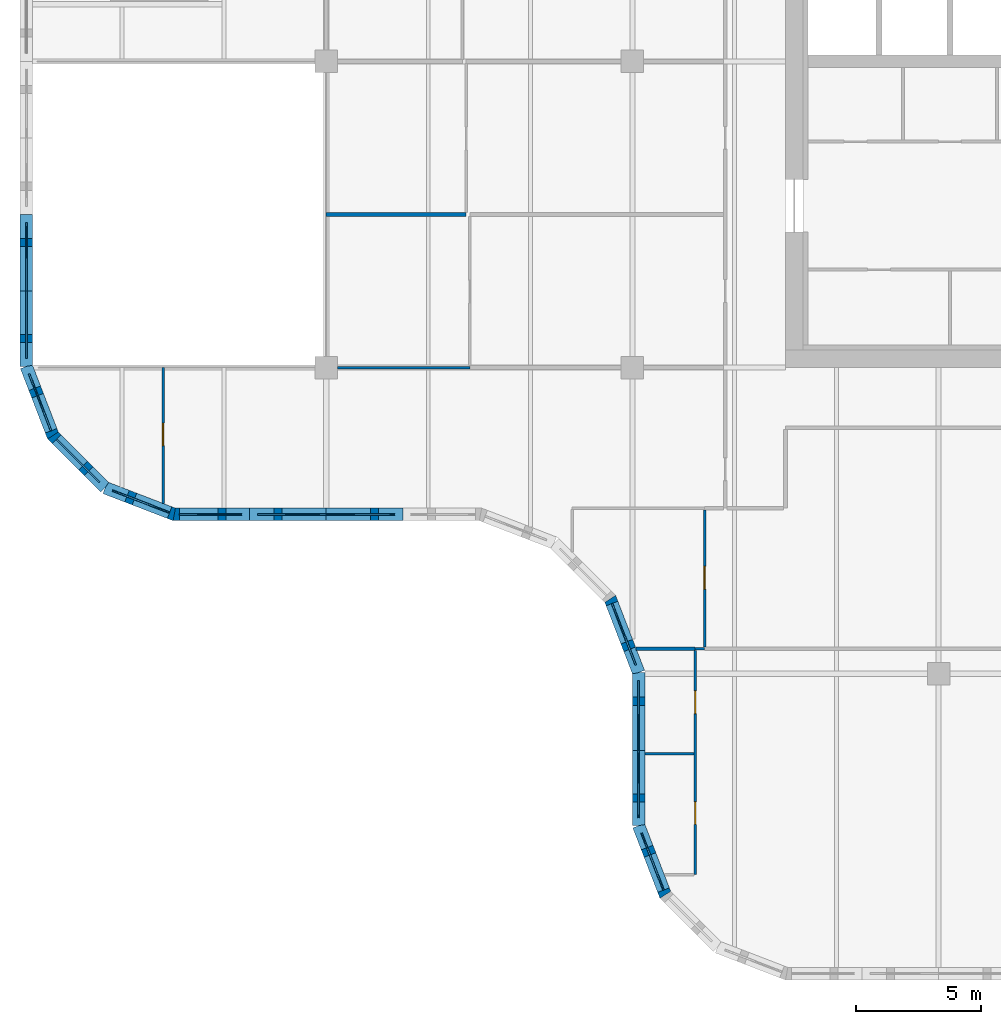
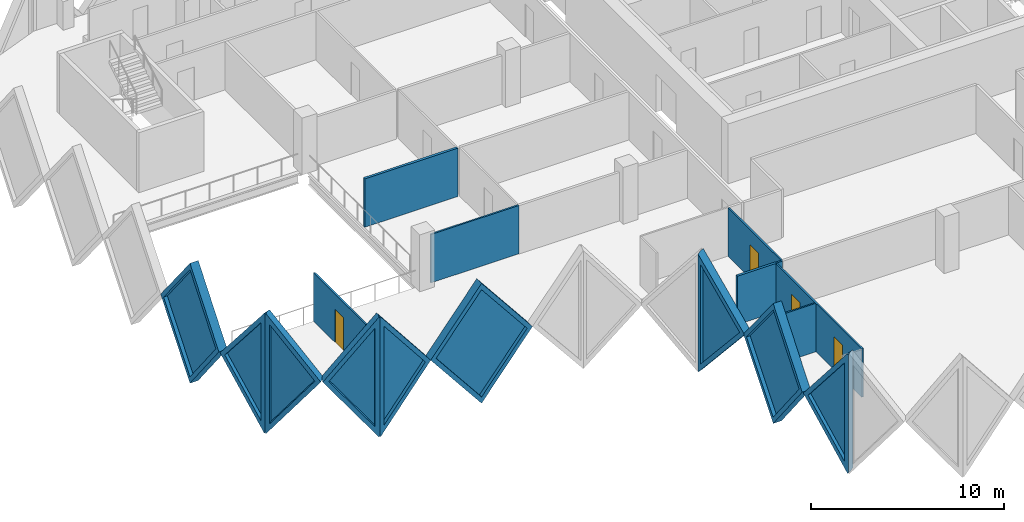
# One storey, part 3 of 13: 17 walls, 9 plates, 4 doors, 13 openings.
"""IFC4 building model written with IfcOpenShell, lengths in metres."""

import ifcopenshell
import ifcopenshell.guid

model = None  # the IFC model being written
_history = None  # IfcOwnerHistory: only IFC2X3 demands one
_inside = {}  # id of a spatial element -> (the spatial element, [elements in it])
_under = {}  # id of a project, library or spatial element -> (it, [spatial elements below it])
_declared = {}  # id of a project -> (the project, [libraries it declares])
_typed = {}  # id of a type object -> (the type object, [elements of that type])
_made_of = {}  # id of a material, layer set ... -> (it, [elements and type objects made of it])


def new_model(schema):
    """Start an empty IFC model of exactly this schema.

    Asked for "IFC4X3", IfcOpenShell would pick the latest addendum, in which some entities
    have other attributes; the version numbers below select the first issue.
    IFC2X3 requires an IfcOwnerHistory on every rooted entity: one is made here for all.
    """
    global model, _history
    if schema == "IFC4X3":
        model = ifcopenshell.file(schema_version=(4, 3, 0, 0))
    else:
        model = ifcopenshell.file(schema=schema)
    _inside.clear()
    _under.clear()
    _declared.clear()
    _typed.clear()
    _made_of.clear()
    _history = None
    if model.schema == "IFC2X3":
        org = make("IfcOrganization", Name="unknown")
        user = make(
            "IfcPersonAndOrganization",
            ThePerson=make("IfcPerson", FamilyName="unknown"),
            TheOrganization=org,
        )
        app = make(
            "IfcApplication",
            ApplicationDeveloper=org,
            Version="unknown",
            ApplicationFullName="unknown",
            ApplicationIdentifier="unknown",
        )
        _history = make(
            "IfcOwnerHistory",
            OwningUser=user,
            OwningApplication=app,
            ChangeAction="ADDED",
            CreationDate=0,
        )
    return model


def make(cls, **values):
    """One entity of the class cls with the attributes given. An attribute that is None is left unset."""
    return model.create_entity(
        cls, **{name: value for name, value in values.items() if value is not None}
    )


def rooted(cls, **values):
    """An entity with a GlobalId (a new one), such as an element, a storey or a relation."""
    return make(cls, GlobalId=ifcopenshell.guid.new(), OwnerHistory=_history, **values)


def si_unit(unit_type, name, prefix=None):
    """IfcSIUnit, for example si_unit("LENGTHUNIT", "METRE", prefix="MILLI")."""
    return make("IfcSIUnit", UnitType=unit_type, Prefix=prefix, Name=name)


def assignment(units):
    """IfcUnitAssignment: the units of a project."""
    return None if units is None else make("IfcUnitAssignment", Units=units)


def point(xyz):
    """IfcCartesianPoint."""
    return None if xyz is None else make("IfcCartesianPoint", Coordinates=xyz)


def direction(xyz):
    """IfcDirection."""
    return None if xyz is None else make("IfcDirection", DirectionRatios=xyz)


def frame(location, z_axis=None, x_axis=None):
    """IfcAxis2Placement3D, a coordinate frame: its origin and axes. An axis left out is left unset."""
    return make(
        "IfcAxis2Placement3D",
        Location=point(location),
        Axis=direction(z_axis),
        RefDirection=direction(x_axis),
    )


def frame_2d(location, x_axis=None):
    """IfcAxis2Placement2D, a coordinate frame in the plane: its origin and x axis."""
    return make(
        "IfcAxis2Placement2D", Location=point(location), RefDirection=direction(x_axis)
    )


def origin():
    """The frame at (0, 0, 0) with its axes left unset."""
    return frame((0.0, 0.0, 0.0))


def place(relative_to, where):
    """IfcLocalPlacement: puts the frame where relative to a parent placement (None: the world)."""
    return make(
        "IfcLocalPlacement", PlacementRelTo=relative_to, RelativePlacement=where
    )


def context(
    kind, dimensions, precision=None, world=None, true_north=None, identifier=None
):
    """IfcGeometricRepresentationContext, for example the 3D "Model" context."""
    return make(
        "IfcGeometricRepresentationContext",
        ContextIdentifier=identifier,
        ContextType=kind,
        CoordinateSpaceDimension=dimensions,
        Precision=precision,
        WorldCoordinateSystem=world,
        TrueNorth=true_north,
    )


def subcontext(parent, identifier, kind, view, scale=None):
    """IfcGeometricRepresentationSubContext, for example "Body" below "Model"."""
    return make(
        "IfcGeometricRepresentationSubContext",
        ContextIdentifier=identifier,
        ContextType=kind,
        ParentContext=parent,
        TargetScale=scale,
        TargetView=view,
    )


def project(units=None, contexts=None):
    """IfcProject with its units and contexts."""
    return rooted(
        "IfcProject",
        Name="project",
        RepresentationContexts=contexts,
        UnitsInContext=assignment(units),
    )


def spatial(cls, under=None, at=None, **own):
    """A site, building, storey or space (cls), placed at a placement, below another one or the project."""
    s = rooted(cls, ObjectPlacement=at, **own)
    if under is not None:
        _under.setdefault(under.id(), (under, []))[1].append(s)
    return s


def polyline(points):
    """IfcPolyline through the points."""
    return make("IfcPolyline", Points=[point(p) for p in points])


def profile(cls, at=None, kind="AREA", **sizes):
    """A parametric profile (cls). Its sizes go by their IFC names, for example OverallWidth=200.0."""
    return make(cls, ProfileType=kind, Position=at, **sizes)


def rectangle(**sizes):
    """IfcRectangleProfileDef."""
    return profile("IfcRectangleProfileDef", **sizes)


def outline(outer, holes=None, kind="AREA"):
    """IfcArbitraryClosedProfileDef: a profile drawn as a closed curve; with holes, ...WithVoids."""
    if holes is None:
        return make("IfcArbitraryClosedProfileDef", ProfileType=kind, OuterCurve=outer)
    return make(
        "IfcArbitraryProfileDefWithVoids",
        ProfileType=kind,
        OuterCurve=outer,
        InnerCurves=holes,
    )


def extrude(swept, where, along, depth):
    """IfcExtrudedAreaSolid: the profile swept, set in the frame where, extruded along a direction by depth."""
    return make(
        "IfcExtrudedAreaSolid",
        SweptArea=swept,
        Position=where,
        ExtrudedDirection=direction(along),
        Depth=depth,
    )


def faces_of(points, faces, orient=None, outer=None):
    """IfcFace entities. A face is a list of loops; a loop is a list of indices into points, from 0.

    orient and outer hold one flag for each loop. By default every Orientation is true, the
    first loop of a face is its IfcFaceOuterBound and the others are IfcFaceBound.
    """
    made = []
    for i, loops in enumerate(faces):
        bounds = []
        for j, loop in enumerate(loops):
            is_outer = j == 0 if outer is None else outer[i][j]
            bounds.append(
                make(
                    "IfcFaceOuterBound" if is_outer else "IfcFaceBound",
                    Bound=make("IfcPolyLoop", Polygon=[points[k] for k in loop]),
                    Orientation=True if orient is None else orient[i][j],
                )
            )
        made.append(make("IfcFace", Bounds=bounds))
    return made


def faceted_brep(points, faces, orient=None, outer=None, voids=None):
    """IfcFacetedBrep: a solid bounded by flat faces; with voids (closed shells), ...WithVoids."""
    shared = [point(p) for p in points]
    hull = make("IfcClosedShell", CfsFaces=faces_of(shared, faces, orient, outer))
    if voids is None:
        return make("IfcFacetedBrep", Outer=hull)
    return make(
        "IfcFacetedBrepWithVoids",
        Outer=hull,
        Voids=[
            make(cls, CfsFaces=faces_of(shared, fs, o, b)) for cls, fs, o, b in voids
        ],
    )


def shape(context_of_items, identifier, shape_type, items):
    """IfcShapeRepresentation: the items that make up one representation, for example the "Body"."""
    return make(
        "IfcShapeRepresentation",
        ContextOfItems=context_of_items,
        RepresentationIdentifier=identifier,
        RepresentationType=shape_type,
        Items=items,
    )


def source(mapping_origin, context_of_items, identifier, shape_type, items):
    """IfcRepresentationMap: a shape defined once, which mapped items show again and again."""
    return make(
        "IfcRepresentationMap",
        MappingOrigin=mapping_origin,
        MappedRepresentation=shape(context_of_items, identifier, shape_type, items),
    )


def transform(
    local_origin,
    x_axis=None,
    y_axis=None,
    z_axis=None,
    scale=None,
    scale2=None,
    scale3=None,
    uniform=True,
):
    """IfcCartesianTransformationOperator3D, or its non-uniform kind. x_axis, y_axis, z_axis: its Axis1, 2, 3."""
    if uniform:
        return make(
            "IfcCartesianTransformationOperator3D",
            Axis1=direction(x_axis),
            Axis2=direction(y_axis),
            LocalOrigin=point(local_origin),
            Scale=scale,
            Axis3=direction(z_axis),
        )
    return make(
        "IfcCartesianTransformationOperator3DnonUniform",
        Axis1=direction(x_axis),
        Axis2=direction(y_axis),
        LocalOrigin=point(local_origin),
        Scale=scale,
        Axis3=direction(z_axis),
        Scale2=scale2,
        Scale3=scale3,
    )


def mapped(mapping_source, mapping_target):
    """IfcMappedItem: shows the shape of a source again, moved by a transform."""
    return make(
        "IfcMappedItem", MappingSource=mapping_source, MappingTarget=mapping_target
    )


def material(Name=None, Category=None):
    """IfcMaterial."""
    return make("IfcMaterial", Name=Name, Category=Category)


def layer(
    of_material, thickness, ventilated=None, Name=None, Category=None, Priority=None
):
    """IfcMaterialLayer: one layer of a wall or slab, of a material (None: an air gap)."""
    return make(
        "IfcMaterialLayer",
        Material=of_material,
        LayerThickness=thickness,
        IsVentilated=ventilated,
        Name=Name,
        Category=Category,
        Priority=Priority,
    )


def layer_set(layers, Name=None):
    """IfcMaterialLayerSet."""
    return make("IfcMaterialLayerSet", MaterialLayers=layers, LayerSetName=Name)


def made_of(thing, what):
    """Note that an element or type object is made of a material, layer set ...; save() writes the relation."""
    if what is not None:
        _made_of.setdefault(what.id(), (what, []))[1].append(thing)
    return thing


def type_object(cls, material=None, **own):
    """A type object (cls), such as IfcWallType, which elements share."""
    return made_of(rooted(cls, **own), material)


def element(
    cls,
    number,
    at=None,
    inside=None,
    cuts=None,
    type_object=None,
    material=None,
    context=None,
    identifier="Body",
    shape_type=None,
    held_by="IfcProductDefinitionShape",
    body=None,
    shapes=None,
    **own,
):
    """One element of the class cls, such as IfcWall. Its Tag is "e" and its number.

    at: its placement. inside: the storey or other place that contains it. cuts: it is an
    opening in that element (IfcRelVoidsElement). A single representation is given by context,
    identifier, shape_type and body (its items); several are given by shapes. held_by: the class
    of the entity that holds the representations. save() writes the other relations.
    """
    e = rooted(cls, Tag="e%d" % number, ObjectPlacement=at, **own)
    if body is not None:
        shapes = [shape(context, identifier, shape_type, body)]
    if shapes is not None:
        e.Representation = make(held_by, Representations=shapes)
    if inside is not None:
        _inside.setdefault(inside.id(), (inside, []))[1].append(e)
    if cuts is not None:
        rooted(
            "IfcRelVoidsElement", RelatingBuildingElement=cuts, RelatedOpeningElement=e
        )
    if type_object is not None:
        _typed.setdefault(type_object.id(), (type_object, []))[1].append(e)
    return made_of(e, material)


def fill(opening, filler):
    """IfcRelFillsElement: the door or window that sits in an opening."""
    return rooted(
        "IfcRelFillsElement",
        RelatingOpeningElement=opening,
        RelatedBuildingElement=filler,
    )


def aggregate(whole, parts):
    """IfcRelAggregates: a whole, such as a stair, and the parts it consists of."""
    return rooted("IfcRelAggregates", RelatingObject=whole, RelatedObjects=parts)


def save(model, path):
    """Write the relations noted so far, then the file.

    IfcRelAggregates (storeys below a building ...), IfcRelContainedInSpatialStructure (elements
    in a storey), IfcRelDefinesByType, IfcRelAssociatesMaterial and IfcRelDeclares: one each for
    every whole, place, type object, material and project.
    """
    for whole, parts in _under.values():
        aggregate(whole, parts)
    for where, things in _inside.values():
        rooted(
            "IfcRelContainedInSpatialStructure",
            RelatedElements=things,
            RelatingStructure=where,
        )
    for kind, things in _typed.values():
        rooted("IfcRelDefinesByType", RelatedObjects=things, RelatingType=kind)
    for what, things in _made_of.values():
        rooted("IfcRelAssociatesMaterial", RelatedObjects=things, RelatingMaterial=what)
    for by, libraries in _declared.values():
        rooted("IfcRelDeclares", RelatingContext=by, RelatedDefinitions=libraries)
    model.write(path)


model = new_model("IFC4")

# Units and contexts
model_context = context("Model", 3, precision=1e-05, world=origin(), true_north=direction((0.0, 1.0)))
body_context = subcontext(model_context, "Body", "Model", "MODEL_VIEW")
ifc_project = project(units=[si_unit("LENGTHUNIT", "METRE"), si_unit("AREAUNIT", "SQUARE_METRE"), si_unit("VOLUMEUNIT", "CUBIC_METRE"), si_unit("PLANEANGLEUNIT", "RADIAN"), si_unit("MASSUNIT", "GRAM", prefix="KILO")], contexts=[model_context])

# Site, building, storey
site_placement = place(None, origin())
site = spatial("IfcSite", under=ifc_project, at=site_placement, CompositionType="ELEMENT")
building_placement = place(site_placement, origin())
building = spatial("IfcBuilding", under=site, at=building_placement, Name="Tessera Gate Towers", CompositionType="ELEMENT")
storey_placement = place(building_placement, frame((0.0, 0.0, 120.199951171875)))
storey = spatial("IfcBuildingStorey", under=building, at=storey_placement, Name="L29", CompositionType="ELEMENT", Elevation=120.199951171875)

# Wall
ifc_material_1 = material(Name="Glass", Category="glass")
ifc_layer_1 = layer(ifc_material_1, 0.10009765625)
ifc_layer_set_1 = layer_set([ifc_layer_1], Name="GLAZED PARTITION 100")
wall_type_1 = type_object("IfcWallType", Name="GLAZED PARTITION 100", PredefinedType="PARTITIONING", material=ifc_layer_set_1)
wall_1_placement = place(storey_placement, frame((26.90087890625, 13.199951171875, 0.0), z_axis=(0.0, 0.0, 1.0), x_axis=(1.0, 0.0, 0.0)))
element("IfcWall", 1, at=wall_1_placement, inside=storey, type_object=wall_type_1, Name="T1-L29-PW-013", PredefinedType="PARTITIONING", context=body_context, shape_type="SweptSolid", body=[
    extrude(rectangle(XDim=0.373046875, YDim=0.10009765625, at=frame_2d((0.1865234375, 0.0))), origin(), (0.0, 0.0, 1.0), 3.067138671875),
])

# Wall, opening, door
wall_2_placement = place(storey_placement, frame((27.27490234375, 13.27587890625, 0.0), z_axis=(0.0, 0.0, 1.0), x_axis=(0.0, 1.0, 0.0)))
wall_2 = element("IfcWall", 2, at=wall_2_placement, inside=storey, type_object=wall_type_1, Name="T1-L29-PW-015", PredefinedType="PARTITIONING", context=body_context, shape_type="SweptSolid", body=[
    extrude(rectangle(XDim=5.4482421875, YDim=0.10009765625, at=frame_2d((2.72412109375, 0.0))), origin(), (0.0, 0.0, 1.0), 3.067138671875),
])
shared_shape_1 = source(origin(), body_context, "Body", "SweptSolid", [
    extrude(rectangle(XDim=0.89990234375, YDim=2.10009765625, at=frame_2d((0.449951171875, 1.050048828125))), frame((0.0, 0.06005859375, 0.0), z_axis=(0.0, -1.0, 0.0), x_axis=(1.0, 0.0, 0.0)), (0.0, 0.0, 1.0), 0.1201171875),
])
opening_1_placement = place(wall_2_placement, frame((2.300048828125, 0.0, 0.0)))
opening_1 = element("IfcOpeningElement", 3, at=opening_1_placement, cuts=wall_2, Name="Opening D690-A10-02", PredefinedType="OPENING", context=body_context, shape_type="MappedRepresentation", body=[
    mapped(shared_shape_1, transform((0.0, 0.0, 0.0), scale=1.0)),
])
ifc_material_2 = material(Name="Glass in aluminium frame", Category="aluminium")
door_type_1 = type_object("IfcDoorType", Name="GLAZED DOOR 900 NOT RATED", OperationType="NOTDEFINED", PredefinedType="DOOR", material=ifc_material_2)
shared_shape_2 = source(origin(), body_context, "Body", "SweptSolid", [
    extrude(rectangle(XDim=0.89990234375, YDim=2.10009765625, at=frame_2d((0.449951171875, 1.050048828125))), frame((0.0, 0.02490234375, 0.0), z_axis=(0.0, -1.0, 0.0), x_axis=(1.0, 0.0, 0.0)), (0.0, 0.0, 1.0), 0.050048828125),
])
door_1_placement = place(opening_1_placement, origin())
door_1 = element("IfcDoor", 4, at=door_1_placement, inside=storey, type_object=door_type_1, Name="T1-L29-PD-009", OperationType="SINGLE_SWING_LEFT", OverallHeight=2.10009765625, OverallWidth=0.89990234375, PredefinedType="DOOR", context=body_context, shape_type="MappedRepresentation", body=[
    mapped(shared_shape_2, transform((0.0, 0.0, 0.0), scale=1.0)),
])
fill(opening_1, door_1)

wall_3_placement = place(storey_placement, frame((5.699951171875, 18.990234375, 0.0), z_axis=(0.0, 0.0, 1.0), x_axis=(0.0, 1.0, 0.0)))
wall_3 = element("IfcWall", 5, at=wall_3_placement, inside=storey, type_object=wall_type_1, Name="T1-L29-PW-024", PredefinedType="PARTITIONING", context=body_context, shape_type="SweptSolid", body=[
    extrude(rectangle(XDim=5.40966796875, YDim=0.10009765625, at=frame_2d((2.704833984375, 0.0))), origin(), (0.0, 0.0, 1.0), 3.067138671875),
])
opening_2_placement = place(wall_3_placement, frame((2.300048828125, 0.0, 0.0)))
opening_2 = element("IfcOpeningElement", 6, at=opening_2_placement, cuts=wall_3, Name="Opening D690-A10-01", PredefinedType="OPENING", context=body_context, shape_type="MappedRepresentation", body=[
    mapped(shared_shape_1, transform((0.0, 0.0, 0.0), scale=1.0)),
])
door_2_placement = place(opening_2_placement, origin())
door_2 = element("IfcDoor", 7, at=door_2_placement, inside=storey, type_object=door_type_1, Name="T1-L29-PD-008", OperationType="SINGLE_SWING_LEFT", OverallHeight=2.10009765625, OverallWidth=0.89990234375, PredefinedType="DOOR", context=body_context, shape_type="MappedRepresentation", body=[
    mapped(shared_shape_2, transform((0.0, 0.0, 0.0), scale=1.0)),
])
fill(opening_2, door_2)

# Wall
wall_4_placement = place(storey_placement, frame((12.65087890625, 24.39990234375, 0.0), z_axis=(0.0, 0.0, 1.0), x_axis=(1.0, 0.0, 0.0)))
element("IfcWall", 8, at=wall_4_placement, inside=storey, type_object=wall_type_1, Name="T1-L29-PW-029", PredefinedType="PARTITIONING", context=body_context, shape_type="SweptSolid", body=[
    extrude(rectangle(XDim=5.273193359375, YDim=0.10009765625, at=frame_2d((2.63671875, 0.0))), origin(), (0.0, 0.0, 1.0), 3.067138671875),
])

# Wall, openings, doors
ifc_material_3 = material(Name="Gypsum board on steel studs", Category="steel")
ifc_layer_2 = layer(ifc_material_3, 0.10009765625)
ifc_layer_set_2 = layer_set([ifc_layer_2], Name="PARTITION 100")
wall_type_2 = type_object("IfcWallType", Name="PARTITION 100", PredefinedType="PARTITIONING", material=ifc_layer_set_2)
wall_5_placement = place(storey_placement, frame((26.89990234375, 4.199951171875, 0.0), z_axis=(0.0, 0.0, 1.0), x_axis=(0.0, 1.0, 0.0)))
wall_5 = element("IfcWall", 9, at=wall_5_placement, inside=storey, type_object=wall_type_2, Name="T1-L29-PW-004", PredefinedType="PARTITIONING", context=body_context, shape_type="SweptSolid", body=[
    extrude(rectangle(XDim=8.924072265625, YDim=0.10009765625, at=frame_2d((4.4619140625, 0.0))), origin(), (0.0, 0.0, 1.0), 3.067138671875),
])
opening_3_placement = place(wall_5_placement, frame((6.416015625, 0.0, 0.0)))
opening_3 = element("IfcOpeningElement", 10, at=opening_3_placement, cuts=wall_5, Name="Opening D190-A10-01", PredefinedType="OPENING", context=body_context, shape_type="MappedRepresentation", body=[
    mapped(shared_shape_1, transform((0.0, 0.0, 0.0), scale=1.0)),
])
opening_4_placement = place(wall_5_placement, frame((2.0, 0.0, 0.0)))
opening_4 = element("IfcOpeningElement", 11, at=opening_4_placement, cuts=wall_5, Name="Opening D190-A10-05", PredefinedType="OPENING", context=body_context, shape_type="MappedRepresentation", body=[
    mapped(shared_shape_1, transform((0.0, 0.0, 0.0), scale=1.0)),
])
ifc_material_4 = material(Name="Timber door leaf in steel frame", Category="steel")
door_type_2 = type_object("IfcDoorType", Name="INTERNAL DOOR 900 NOT RATED", OperationType="NOTDEFINED", PredefinedType="DOOR", material=ifc_material_4)
door_3_placement = place(opening_3_placement, origin())
door_3 = element("IfcDoor", 12, at=door_3_placement, inside=storey, type_object=door_type_2, Name="T1-L29-PD-002", OperationType="SINGLE_SWING_LEFT", OverallHeight=2.10009765625, OverallWidth=0.89990234375, PredefinedType="DOOR", context=body_context, shape_type="MappedRepresentation", body=[
    mapped(shared_shape_2, transform((0.0, 0.0, 0.0), scale=1.0)),
])
fill(opening_3, door_3)
door_4_placement = place(opening_4_placement, origin())
door_4 = element("IfcDoor", 13, at=door_4_placement, inside=storey, type_object=door_type_2, Name="T1-L29-PD-013", OperationType="SINGLE_SWING_LEFT", OverallHeight=2.10009765625, OverallWidth=0.89990234375, PredefinedType="DOOR", context=body_context, shape_type="MappedRepresentation", body=[
    mapped(shared_shape_2, transform((0.0, 0.0, 0.0), scale=1.0)),
])
fill(opening_4, door_4)

# Walls
wall_6_placement = place(storey_placement, frame((24.89990234375, 9.014892578125, 0.0), z_axis=(0.0, 0.0, 1.0), x_axis=(1.0, 0.0, 0.0)))
element("IfcWall", 14, at=wall_6_placement, inside=storey, type_object=wall_type_2, Name="T1-L29-PW-010", PredefinedType="PARTITIONING", context=body_context, shape_type="SweptSolid", body=[
    extrude(rectangle(XDim=1.94921875, YDim=0.10009765625, at=frame_2d((0.974609375, 0.0))), origin(), (0.0, 0.0, 1.0), 3.067138671875),
])
ifc_material_5 = material(Name="Gypsum board on steel studs, mineral wool", Category="steel")
ifc_layer_3 = layer(ifc_material_5, 0.14990234375)
ifc_layer_set_3 = layer_set([ifc_layer_3], Name="TENANCY WALL 150")
wall_type_3 = type_object("IfcWallType", Name="TENANCY WALL 150", PredefinedType="PARTITIONING", material=ifc_layer_set_3)
wall_7_placement = place(storey_placement, frame((24.55029296875, 13.199951171875, 0.0), z_axis=(0.0, 0.0, 1.0), x_axis=(1.0, 0.0, 0.0)))
element("IfcWall", 15, at=wall_7_placement, inside=storey, type_object=wall_type_3, Name="T1-L29-PW-012", PredefinedType="PARTITIONING", context=body_context, shape_type="SweptSolid", body=[
    extrude(rectangle(XDim=2.349609375, YDim=0.14990234375, at=frame_2d((1.1748046875, 0.0))), origin(), (0.0, 0.0, 1.0), 3.067138671875),
])
wall_8_placement = place(storey_placement, frame((12.199951171875, 30.5, 0.0), z_axis=(0.0, 0.0, 1.0), x_axis=(1.0, 0.0, 0.0)))
element("IfcWall", 16, at=wall_8_placement, inside=storey, type_object=wall_type_3, Name="T1-L29-PW-033", PredefinedType="PARTITIONING", context=body_context, shape_type="SweptSolid", body=[
    extrude(rectangle(XDim=5.574951171875, YDim=0.14990234375, at=frame_2d((2.78759765625, 0.0))), origin(), (0.0, 0.0, 1.0), 3.067138671875),
])

# Wall, opening, plate
ifc_material_6 = material(Name="Precast concrete C60/75 white", Category="concrete")
ifc_layer_4 = layer(ifc_material_6, 0.5)
ifc_layer_set_4 = layer_set([ifc_layer_4], Name="TS1 tessera")
wall_type_4 = type_object("IfcWallType", Name="TS1 tessera", PredefinedType="SOLIDWALL", material=ifc_layer_set_4)
shared_shape_3 = source(origin(), body_context, "Body", "SweptSolid", [
    extrude(outline(polyline([(3.050048828125, 0.0), (6.10009765625, 3.800048828125), (3.050048828125, 7.60009765625), (0.0, 3.800048828125), (3.050048828125, 0.0)])), frame((0.0, 0.25, 0.0), z_axis=(0.0, -1.0, 0.0), x_axis=(1.0, 0.0, 0.0)), (0.0, 0.0, 1.0), 0.5),
])
wall_9_placement = place(storey_placement, frame((9.14990234375, 18.550048828125, -3.800048828125), z_axis=(0.0, 0.0, 1.0), x_axis=(1.0, 0.0, 0.0)))
wall_9 = element("IfcWall", 17, at=wall_9_placement, inside=storey, type_object=wall_type_4, Name="Precast tessera T1 TS1-0481", PredefinedType="SOLIDWALL", context=body_context, shape_type="MappedRepresentation", body=[
    mapped(shared_shape_3, transform((0.0, 0.0, 0.0), scale=1.0)),
])
shared_shape_4 = source(origin(), body_context, "Body", "SweptSolid", [
    extrude(outline(polyline([(3.050048828125, 0.3994140625), (5.779541015625, 3.800048828125), (3.050048828125, 7.20068359375), (0.320556640625, 3.800048828125), (3.050048828125, 0.3994140625)])), frame((0.0, 0.260009765625, 0.0), z_axis=(0.0, -1.0, 0.0), x_axis=(1.0, 0.0, 0.0)), (0.0, 0.0, 1.0), 0.52001953125),
])
opening_5_placement = place(wall_9_placement, origin())
opening_5 = element("IfcOpeningElement", 18, at=opening_5_placement, cuts=wall_9, Name="Opening T1-PL2-0979", PredefinedType="OPENING", context=body_context, shape_type="MappedRepresentation", body=[
    mapped(shared_shape_4, transform((0.0, 0.0, 0.0), scale=1.0)),
])
ifc_material_7 = material(Name="Low-e laminated glass", Category="glass")
ifc_layer_5 = layer(ifc_material_7, 0.06005859375)
ifc_layer_set_5 = layer_set([ifc_layer_5], Name="PL2 rhombic pane")
plate_type = type_object("IfcPlateType", Name="PL2 rhombic pane", PredefinedType="SHEET", material=ifc_layer_set_5)
shared_shape_5 = source(origin(), body_context, "Body", "SweptSolid", [
    extrude(outline(polyline([(3.050048828125, 0.3994140625), (5.779541015625, 3.800048828125), (3.050048828125, 7.20068359375), (0.320556640625, 3.800048828125), (3.050048828125, 0.3994140625)])), frame((0.0, 0.030029296875, 0.0), z_axis=(0.0, -1.0, 0.0), x_axis=(1.0, 0.0, 0.0)), (0.0, 0.0, 1.0), 0.06005859375),
])
plate_1_placement = place(opening_5_placement, origin())
plate_1 = element("IfcPlate", 19, at=plate_1_placement, inside=storey, type_object=plate_type, Name="Glass pane T1 PL2-0979", PredefinedType="SHEET", context=body_context, shape_type="MappedRepresentation", body=[
    mapped(shared_shape_5, transform((0.0, 0.0, 0.0), scale=1.0)),
])
fill(opening_5, plate_1)

shared_shape_6 = source(origin(), body_context, "Body", "Brep", [
    faceted_brep([(3.050048828125, -0.25, 0.0), (6.053466796875, -0.25, 3.800048828125), (3.050048828125, -0.25, 7.60009765625), (0.0, -0.25, 3.800048828125), (0.0, 0.25, 3.800048828125), (3.050048828125, 0.25, 7.60009765625), (6.0068359375, 0.25, 3.85888671875), (6.0068359375, 0.25, 3.7412109375), (3.050048828125, 0.25, 0.0), (6.053466796875, 0.0, 3.800048828125)], [[[0, 1, 2, 3]], [[4, 5, 6, 7, 8]], [[8, 7, 9, 1, 0]], [[6, 5, 2, 1, 9]], [[5, 4, 3, 2]], [[4, 8, 0, 3]], [[9, 7, 6]]]),
])
wall_10_placement = place(storey_placement, frame((0.25, 30.5, -3.800048828125), z_axis=(0.0, 0.0, 1.0), x_axis=(0.0, -1.0, 0.0)))
wall_10 = element("IfcWall", 20, at=wall_10_placement, inside=storey, type_object=wall_type_4, Name="Precast tessera T1 TS1-0480", PredefinedType="SOLIDWALL", context=body_context, shape_type="MappedRepresentation", body=[
    mapped(shared_shape_6, transform((0.0, 0.0, 0.0), scale=1.0)),
])
shared_shape_7 = source(origin(), body_context, "Body", "SweptSolid", [
    extrude(outline(polyline([(3.048583984375, 0.4013671875), (5.73486328125, 3.800048828125), (3.048583984375, 7.19873046875), (0.320556640625, 3.800048828125), (3.048583984375, 0.4013671875)])), frame((0.0, 0.260009765625, 0.0), z_axis=(0.0, -1.0, 0.0), x_axis=(1.0, 0.0, 0.0)), (0.0, 0.0, 1.0), 0.52001953125),
])
opening_6_placement = place(wall_10_placement, origin())
opening_6 = element("IfcOpeningElement", 21, at=opening_6_placement, cuts=wall_10, Name="Opening T1-PL2-0974", PredefinedType="OPENING", context=body_context, shape_type="MappedRepresentation", body=[
    mapped(shared_shape_7, transform((0.0, 0.0, 0.0), scale=1.0)),
])
shared_shape_8 = source(origin(), body_context, "Body", "SweptSolid", [
    extrude(outline(polyline([(3.048583984375, 0.4013671875), (5.73486328125, 3.800048828125), (3.048583984375, 7.19873046875), (0.320556640625, 3.800048828125), (3.048583984375, 0.4013671875)])), frame((0.0, 0.030029296875, 0.0), z_axis=(0.0, -1.0, 0.0), x_axis=(1.0, 0.0, 0.0)), (0.0, 0.0, 1.0), 0.06005859375),
])
plate_2_placement = place(opening_6_placement, origin())
plate_2 = element("IfcPlate", 22, at=plate_2_placement, inside=storey, type_object=plate_type, Name="Glass pane T1 PL2-0974", PredefinedType="SHEET", context=body_context, shape_type="MappedRepresentation", body=[
    mapped(shared_shape_8, transform((0.0, 0.0, 0.0), scale=1.0)),
])
fill(opening_6, plate_2)

ifc_material_8 = material(Name="Precast concrete C60/75 white", Category="concrete")
ifc_layer_6 = layer(ifc_material_8, 0.5)
ifc_layer_set_6 = layer_set([ifc_layer_6], Name="TS3 corner tessera")
wall_type_5 = type_object("IfcWallType", Name="TS3 corner tessera", PredefinedType="SOLIDWALL", material=ifc_layer_set_6)
shared_shape_9 = source(origin(), body_context, "Body", "Brep", [
    faceted_brep([(2.950439453125, -0.25, 0.0), (3.00341796875, -0.25, 0.068359375), (3.00341796875, -0.25, 7.53173828125), (2.950439453125, -0.25, 7.60009765625), (0.0, -0.25, 3.800048828125), (0.046630859375, 0.25, 3.860107421875), (2.897705078125, 0.25, 7.531982421875), (2.897705078125, 0.25, 0.068115234375), (0.046630859375, 0.25, 3.739990234375), (2.950439453125, 0.00048828125, 0.0), (2.950439453125, 0.00048828125, 7.60009765625), (0.0, 0.0, 3.800048828125)], [[[0, 1, 2, 3, 4]], [[5, 6, 7, 8]], [[1, 0, 9]], [[10, 3, 2]], [[6, 5, 11, 4, 3, 10]], [[8, 7, 9, 0, 4, 11]], [[8, 11, 5]], [[1, 9, 7, 6, 10, 2]]]),
])
wall_11_placement = place(storey_placement, frame((24.64990234375, 6.146484375, -3.800048828125), z_axis=(0.0, 0.0, 1.0), x_axis=(0.359953949349, -0.932970071518, 0.0)))
wall_11 = element("IfcWall", 23, at=wall_11_placement, inside=storey, type_object=wall_type_5, Name="Precast corner tessera T1 TS3-0671", PredefinedType="SOLIDWALL", context=body_context, shape_type="MappedRepresentation", body=[
    mapped(shared_shape_9, transform((0.0, 0.0, 0.0), scale=1.0)),
])
shared_shape_10 = source(origin(), body_context, "Body", "SweptSolid", [
    extrude(outline(polyline([(2.75048828125, 6.934814453125), (0.31640625, 3.800048828125), (2.75048828125, 0.665283203125), (2.75048828125, 6.934814453125)])), frame((0.0, 0.260009765625, 0.0), z_axis=(0.0, -1.0, 0.0), x_axis=(1.0, 0.0, 0.0)), (0.0, 0.0, 1.0), 0.52001953125),
])
opening_7_placement = place(wall_11_placement, origin())
opening_7 = element("IfcOpeningElement", 24, at=opening_7_placement, cuts=wall_11, Name="Opening T1-PL2-0985", PredefinedType="OPENING", context=body_context, shape_type="MappedRepresentation", body=[
    mapped(shared_shape_10, transform((0.0, 0.0, 0.0), scale=1.0)),
])
shared_shape_11 = source(origin(), body_context, "Body", "SweptSolid", [
    extrude(outline(polyline([(2.75048828125, 6.934814453125), (0.31640625, 3.800048828125), (2.75048828125, 0.665283203125), (2.75048828125, 6.934814453125)])), frame((0.0, 0.030029296875, 0.0), z_axis=(0.0, -1.0, 0.0), x_axis=(1.0, 0.0, 0.0)), (0.0, 0.0, 1.0), 0.06005859375),
])
plate_3_placement = place(opening_7_placement, origin())
plate_3 = element("IfcPlate", 25, at=plate_3_placement, inside=storey, type_object=plate_type, Name="Glass pane T1 PL2-0985", PredefinedType="SHEET", context=body_context, shape_type="MappedRepresentation", body=[
    mapped(shared_shape_11, transform((0.0, 0.0, 0.0), scale=1.0)),
])
fill(opening_7, plate_3)

shared_shape_12 = source(origin(), body_context, "Body", "Brep", [
    faceted_brep([(0.052978515625, -0.25, 0.0), (2.9970703125, -0.25, 3.800048828125), (0.052978515625, -0.25, 7.60009765625), (0.0, -0.25, 7.531982421875), (0.0, -0.25, 0.068115234375), (0.10595703125, 0.25, 7.53173828125), (2.944091796875, 0.25, 3.8681640625), (2.944091796875, 0.25, 3.73193359375), (0.10595703125, 0.25, 0.068359375), (2.9970703125, 0.000244140625, 3.800048828125), (0.052978515625, 0.0, 0.0), (0.052978515625, 0.0, 7.60009765625)], [[[0, 1, 2, 3, 4]], [[5, 6, 7, 8]], [[8, 7, 9, 1, 0, 10]], [[6, 5, 11, 2, 1, 9]], [[3, 2, 11]], [[10, 0, 4]], [[8, 10, 4, 3, 11, 5]], [[9, 7, 6]]]),
])
wall_12_placement = place(storey_placement, frame((1.2744140625, 21.731201171875, -3.800048828125), z_axis=(0.0, 0.0, 1.0), x_axis=(0.707147509625, -0.707066050402, 0.0)))
wall_12 = element("IfcWall", 26, at=wall_12_placement, inside=storey, type_object=wall_type_5, Name="Precast corner tessera T1 TS3-0664", PredefinedType="SOLIDWALL", context=body_context, shape_type="MappedRepresentation", body=[
    mapped(shared_shape_12, transform((0.0, 0.0, 0.0), scale=1.0)),
])
shared_shape_13 = source(origin(), body_context, "Body", "SweptSolid", [
    extrude(outline(polyline([(0.2529296875, 0.66650390625), (2.680908203125, 3.800048828125), (0.2529296875, 6.933837890625), (0.2529296875, 0.66650390625)])), frame((0.0, 0.260009765625, 0.0), z_axis=(0.0, -1.0, 0.0), x_axis=(1.0, 0.0, 0.0)), (0.0, 0.0, 1.0), 0.52001953125),
])
opening_8_placement = place(wall_12_placement, origin())
opening_8 = element("IfcOpeningElement", 27, at=opening_8_placement, cuts=wall_12, Name="Opening T1-PL2-0976", PredefinedType="OPENING", context=body_context, shape_type="MappedRepresentation", body=[
    mapped(shared_shape_13, transform((0.0, 0.0, 0.0), scale=1.0)),
])
shared_shape_14 = source(origin(), body_context, "Body", "SweptSolid", [
    extrude(outline(polyline([(0.2529296875, 0.66650390625), (2.680908203125, 3.800048828125), (0.2529296875, 6.933837890625), (0.2529296875, 0.66650390625)])), frame((0.0, 0.030029296875, 0.0), z_axis=(0.0, -1.0, 0.0), x_axis=(1.0, 0.0, 0.0)), (0.0, 0.0, 1.0), 0.06005859375),
])
plate_4_placement = place(opening_8_placement, origin())
plate_4 = element("IfcPlate", 28, at=plate_4_placement, inside=storey, type_object=plate_type, Name="Glass pane T1 PL2-0976", PredefinedType="SHEET", context=body_context, shape_type="MappedRepresentation", body=[
    mapped(shared_shape_14, transform((0.0, 0.0, 0.0), scale=1.0)),
])
fill(opening_8, plate_4)

shared_shape_15 = source(origin(), body_context, "Body", "Brep", [
    faceted_brep([(2.950439453125, -0.25, 0.0), (2.9970703125, -0.25, 0.05908203125), (2.9970703125, -0.25, 7.541015625), (2.950439453125, -0.25, 7.60009765625), (0.0, -0.25, 3.800048828125), (0.052978515625, 0.25, 3.8681640625), (2.904052734375, 0.25, 7.540283203125), (2.904052734375, 0.25, 0.059814453125), (0.052978515625, 0.25, 3.73193359375), (2.950439453125, 0.00048828125, 0.0), (2.950439453125, 0.00048828125, 7.60009765625), (0.0, 0.0, 3.800048828125)], [[[0, 1, 2, 3, 4]], [[5, 6, 7, 8]], [[1, 0, 9]], [[10, 3, 2]], [[6, 5, 11, 4, 3, 10]], [[8, 7, 9, 0, 4, 11]], [[8, 11, 5]], [[1, 9, 7, 6, 10, 2]]]),
])
wall_13_placement = place(storey_placement, frame((3.393798828125, 19.61181640625, -3.800048828125), z_axis=(0.0, 0.0, 1.0), x_axis=(0.932990326376, -0.359901446078, 0.0)))
wall_13 = element("IfcWall", 29, at=wall_13_placement, inside=storey, type_object=wall_type_5, Name="Precast corner tessera T1 TS3-0665", PredefinedType="SOLIDWALL", context=body_context, shape_type="MappedRepresentation", body=[
    mapped(shared_shape_15, transform((0.0, 0.0, 0.0), scale=1.0)),
])
opening_9_placement = place(wall_13_placement, origin())
opening_9 = element("IfcOpeningElement", 30, at=opening_9_placement, cuts=wall_13, Name="Opening T1-PL2-0977", PredefinedType="OPENING", context=body_context, shape_type="MappedRepresentation", body=[
    mapped(shared_shape_10, transform((0.0, 0.0, 0.0), scale=1.0)),
])
plate_5_placement = place(opening_9_placement, origin())
plate_5 = element("IfcPlate", 31, at=plate_5_placement, inside=storey, type_object=plate_type, Name="Glass pane T1 PL2-0977", PredefinedType="SHEET", context=body_context, shape_type="MappedRepresentation", body=[
    mapped(shared_shape_11, transform((0.0, 0.0, 0.0), scale=1.0)),
])
fill(opening_9, plate_5)

shared_shape_16 = source(origin(), body_context, "Body", "Brep", [
    faceted_brep([(0.046630859375, -0.25, 0.0), (3.050048828125, -0.25, 3.800048828125), (0.046630859375, -0.25, 7.60009765625), (0.0, -0.25, 7.5400390625), (0.0, -0.25, 0.06005859375), (0.09326171875, 0.25, 7.541259765625), (3.050048828125, 0.25, 3.800048828125), (0.09326171875, 0.25, 0.058837890625), (0.046630859375, 0.0, 0.0), (0.046630859375, 0.0, 7.60009765625)], [[[0, 1, 2, 3, 4]], [[5, 6, 7]], [[7, 6, 1, 0, 8]], [[6, 5, 9, 2, 1]], [[3, 2, 9]], [[8, 0, 4]], [[7, 8, 4, 3, 9, 5]]]),
])
wall_14_placement = place(storey_placement, frame((6.099853515625, 18.550048828125, -3.800048828125), z_axis=(0.0, 0.0, 1.0), x_axis=(1.0, 0.0, 0.0)))
wall_14 = element("IfcWall", 32, at=wall_14_placement, inside=storey, type_object=wall_type_5, Name="Precast corner tessera T1 TS3-0666", PredefinedType="SOLIDWALL", context=body_context, shape_type="MappedRepresentation", body=[
    mapped(shared_shape_16, transform((0.0, 0.0, 0.0), scale=1.0)),
])
shared_shape_17 = source(origin(), body_context, "Body", "SweptSolid", [
    extrude(outline(polyline([(0.24658203125, 0.65625), (2.7314453125, 3.800048828125), (0.24658203125, 6.94384765625), (0.24658203125, 0.65625)])), frame((0.0, 0.260009765625, 0.0), z_axis=(0.0, -1.0, 0.0), x_axis=(1.0, 0.0, 0.0)), (0.0, 0.0, 1.0), 0.52001953125),
])
opening_10_placement = place(wall_14_placement, origin())
opening_10 = element("IfcOpeningElement", 33, at=opening_10_placement, cuts=wall_14, Name="Opening T1-PL2-0978", PredefinedType="OPENING", context=body_context, shape_type="MappedRepresentation", body=[
    mapped(shared_shape_17, transform((0.0, 0.0, 0.0), scale=1.0)),
])
shared_shape_18 = source(origin(), body_context, "Body", "SweptSolid", [
    extrude(outline(polyline([(0.24658203125, 0.65625), (2.7314453125, 3.800048828125), (0.24658203125, 6.94384765625), (0.24658203125, 0.65625)])), frame((0.0, 0.030029296875, 0.0), z_axis=(0.0, -1.0, 0.0), x_axis=(1.0, 0.0, 0.0)), (0.0, 0.0, 1.0), 0.06005859375),
])
plate_6_placement = place(opening_10_placement, origin())
plate_6 = element("IfcPlate", 34, at=plate_6_placement, inside=storey, type_object=plate_type, Name="Glass pane T1 PL2-0978", PredefinedType="SHEET", context=body_context, shape_type="MappedRepresentation", body=[
    mapped(shared_shape_18, transform((0.0, 0.0, 0.0), scale=1.0)),
])
fill(opening_10, plate_6)

shared_shape_19 = source(origin(), body_context, "Body", "Brep", [
    faceted_brep([(2.950439453125, -0.25, 0.0), (3.00341796875, -0.25, 0.068359375), (3.00341796875, -0.25, 7.53173828125), (2.950439453125, -0.25, 7.60009765625), (0.0, -0.25, 3.800048828125), (0.046630859375, 0.25, 3.860107421875), (2.897705078125, 0.25, 7.531982421875), (2.897705078125, 0.25, 0.068115234375), (0.046630859375, 0.25, 3.739990234375), (2.950439453125, 0.00048828125, 0.0), (2.950439453125, 0.00048828125, 7.60009765625), (0.0, 0.0, 3.800048828125)], [[[0, 1, 2, 3, 4]], [[5, 6, 7, 8]], [[1, 0, 9]], [[10, 3, 2]], [[6, 5, 11, 4, 3, 10]], [[8, 7, 9, 0, 4, 11]], [[8, 11, 5]], [[1, 9, 7, 6, 10, 2]]]),
])
wall_15_placement = place(storey_placement, frame((0.25, 24.446533203125, -3.800048828125), z_axis=(0.0, 0.0, 1.0), x_axis=(0.35992665181, -0.932980602862, 0.0)))
wall_15 = element("IfcWall", 35, at=wall_15_placement, inside=storey, type_object=wall_type_5, Name="Precast corner tessera T1 TS3-0663", PredefinedType="SOLIDWALL", context=body_context, shape_type="MappedRepresentation", body=[
    mapped(shared_shape_19, transform((0.0, 0.0, 0.0), scale=1.0)),
])
opening_11_placement = place(wall_15_placement, origin())
opening_11 = element("IfcOpeningElement", 36, at=opening_11_placement, cuts=wall_15, Name="Opening T1-PL2-0975", PredefinedType="OPENING", context=body_context, shape_type="MappedRepresentation", body=[
    mapped(shared_shape_10, transform((0.0, 0.0, 0.0), scale=1.0)),
])
plate_7_placement = place(opening_11_placement, origin())
plate_7 = element("IfcPlate", 37, at=plate_7_placement, inside=storey, type_object=plate_type, Name="Glass pane T1 PL2-0975", PredefinedType="SHEET", context=body_context, shape_type="MappedRepresentation", body=[
    mapped(shared_shape_11, transform((0.0, 0.0, 0.0), scale=1.0)),
])
fill(opening_11, plate_7)

shared_shape_20 = source(origin(), body_context, "Body", "Brep", [
    faceted_brep([(0.10595703125, -0.25, 0.06396484375), (3.156005859375, -0.25, 3.743896484375), (3.156005859375, -0.25, 3.856201171875), (0.10595703125, -0.25, 7.5361328125), (0.0, 0.25, 7.536376953125), (0.052978515625, 0.25, 7.60009765625), (3.202392578125, 0.25, 3.800048828125), (0.052978515625, 0.25, 0.0), (0.0, 0.25, 0.063720703125), (3.202392578125, -0.000244140625, 3.800048828125), (0.052978515625, 0.0, 0.0), (0.052978515625, 0.0, 7.60009765625)], [[[0, 1, 2, 3]], [[4, 5, 6, 7, 8]], [[7, 6, 9, 1, 0, 10]], [[6, 5, 11, 3, 2, 9]], [[5, 4, 11]], [[8, 7, 10]], [[8, 10, 0, 3, 11, 4]], [[1, 9, 2]]]),
])
wall_16_placement = place(storey_placement, frame((23.497314453125, 15.234375, -3.800048828125), z_axis=(0.0, 0.0, 1.0), x_axis=(0.359913782069, -0.932985567668, 0.0)))
wall_16 = element("IfcWall", 38, at=wall_16_placement, inside=storey, type_object=wall_type_5, Name="Precast corner tessera T1 TS3-0670", PredefinedType="SOLIDWALL", context=body_context, shape_type="MappedRepresentation", body=[
    mapped(shared_shape_20, transform((0.0, 0.0, 0.0), scale=1.0)),
])
shared_shape_21 = source(origin(), body_context, "Body", "SweptSolid", [
    extrude(outline(polyline([(0.2529296875, 0.63330078125), (2.877685546875, 3.800048828125), (0.2529296875, 6.967041015625), (0.2529296875, 0.63330078125)])), frame((0.0, 0.260009765625, 0.0), z_axis=(0.0, -1.0, 0.0), x_axis=(1.0, 0.0, 0.0)), (0.0, 0.0, 1.0), 0.52001953125),
])
opening_12_placement = place(wall_16_placement, origin())
opening_12 = element("IfcOpeningElement", 39, at=opening_12_placement, cuts=wall_16, Name="Opening T1-PL2-0983", PredefinedType="OPENING", context=body_context, shape_type="MappedRepresentation", body=[
    mapped(shared_shape_21, transform((0.0, 0.0, 0.0), scale=1.0)),
])
shared_shape_22 = source(origin(), body_context, "Body", "SweptSolid", [
    extrude(outline(polyline([(0.2529296875, 0.63330078125), (2.877685546875, 3.800048828125), (0.2529296875, 6.967041015625), (0.2529296875, 0.63330078125)])), frame((0.0, 0.030029296875, 0.0), z_axis=(0.0, -1.0, 0.0), x_axis=(1.0, 0.0, 0.0)), (0.0, 0.0, 1.0), 0.06005859375),
])
plate_8_placement = place(opening_12_placement, origin())
plate_8 = element("IfcPlate", 40, at=plate_8_placement, inside=storey, type_object=plate_type, Name="Glass pane T1 PL2-0983", PredefinedType="SHEET", context=body_context, shape_type="MappedRepresentation", body=[
    mapped(shared_shape_22, transform((0.0, 0.0, 0.0), scale=1.0)),
])
fill(opening_12, plate_8)

shared_shape_23 = source(origin(), body_context, "Body", "Brep", [
    faceted_brep([(3.096435546875, -0.25, 0.0), (6.10009765625, -0.25, 3.800048828125), (3.096435546875, -0.25, 7.60009765625), (0.046630859375, -0.25, 3.857177734375), (0.046630859375, -0.25, 3.742919921875), (0.0, 0.25, 3.800048828125), (3.096435546875, 0.25, 7.60009765625), (6.053466796875, 0.25, 3.859130859375), (6.053466796875, 0.25, 3.740966796875), (3.096435546875, 0.25, 0.0), (6.10009765625, -0.00048828125, 3.800048828125), (0.0, 0.0, 3.800048828125)], [[[0, 1, 2, 3, 4]], [[5, 6, 7, 8, 9]], [[9, 8, 10, 1, 0]], [[7, 6, 2, 1, 10]], [[6, 5, 11, 3, 2]], [[5, 9, 0, 4, 11]], [[11, 4, 3]], [[10, 8, 7]]]),
])
wall_17_placement = place(storey_placement, frame((24.64990234375, 12.24658203125, -3.800048828125), z_axis=(0.0, 0.0, 1.0), x_axis=(0.0, -1.0, 0.0)))
wall_17 = element("IfcWall", 41, at=wall_17_placement, inside=storey, type_object=wall_type_4, Name="Precast tessera T1 TS1-0482", PredefinedType="SOLIDWALL", context=body_context, shape_type="MappedRepresentation", body=[
    mapped(shared_shape_23, transform((0.0, 0.0, 0.0), scale=1.0)),
])
shared_shape_24 = source(origin(), body_context, "Body", "SweptSolid", [
    extrude(outline(polyline([(3.093505859375, 0.3994140625), (5.78125, 3.800048828125), (3.093505859375, 7.20068359375), (0.322509765625, 3.800048828125), (3.093505859375, 0.3994140625)])), frame((0.0, 0.260009765625, 0.0), z_axis=(0.0, -1.0, 0.0), x_axis=(1.0, 0.0, 0.0)), (0.0, 0.0, 1.0), 0.52001953125),
])
opening_13_placement = place(wall_17_placement, origin())
opening_13 = element("IfcOpeningElement", 42, at=opening_13_placement, cuts=wall_17, Name="Opening T1-PL2-0984", PredefinedType="OPENING", context=body_context, shape_type="MappedRepresentation", body=[
    mapped(shared_shape_24, transform((0.0, 0.0, 0.0), scale=1.0)),
])
shared_shape_25 = source(origin(), body_context, "Body", "SweptSolid", [
    extrude(outline(polyline([(3.093505859375, 0.3994140625), (5.78125, 3.800048828125), (3.093505859375, 7.20068359375), (0.322509765625, 3.800048828125), (3.093505859375, 0.3994140625)])), frame((0.0, 0.030029296875, 0.0), z_axis=(0.0, -1.0, 0.0), x_axis=(1.0, 0.0, 0.0)), (0.0, 0.0, 1.0), 0.06005859375),
])
plate_9_placement = place(opening_13_placement, origin())
plate_9 = element("IfcPlate", 43, at=plate_9_placement, inside=storey, type_object=plate_type, Name="Glass pane T1 PL2-0984", PredefinedType="SHEET", context=body_context, shape_type="MappedRepresentation", body=[
    mapped(shared_shape_25, transform((0.0, 0.0, 0.0), scale=1.0)),
])
fill(opening_13, plate_9)

save(model, "model.ifc")
